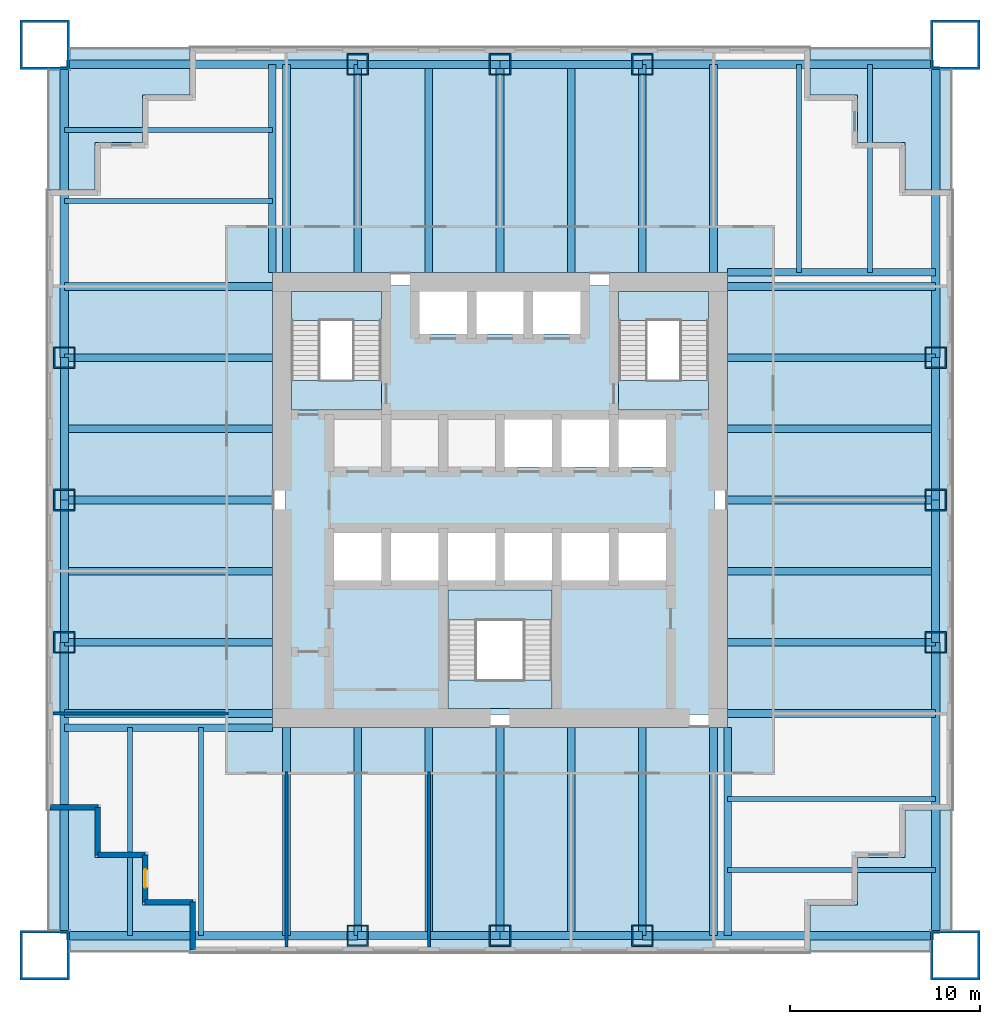
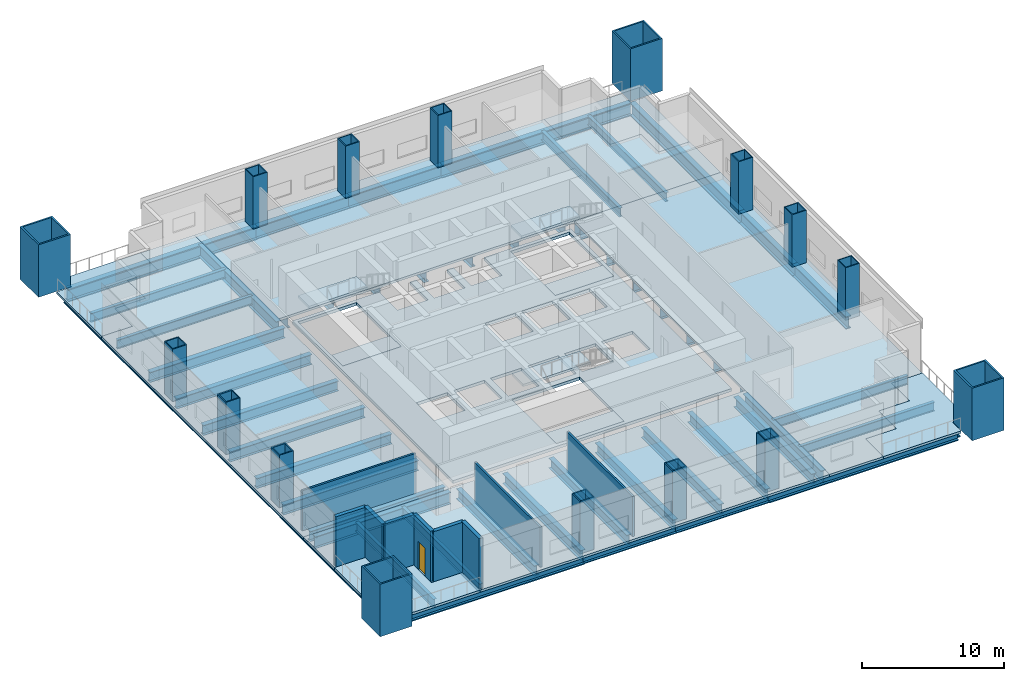
# One storey, part 1 of 6: 56 beams, 16 columns, 15 slabs, 9 walls, 1 door, 1 opening, 3 elements without a shape of their own.
"""IFC4 building model written with IfcOpenShell, lengths in metres."""

from ifc_helpers import new_model, si_unit, direction, frame, frame_2d, origin, origin_2d, place, context, subcontext, project, spatial, polyline, rectangle, hollow_rectangle, i_section, outline, extrude, material, layer, layer_set, material_profile, profile_set, type_object, element, fill, aggregate, save


model = new_model("IFC4")

# Units and contexts
model_context = context("Model", 3, precision=1e-05, world=origin(), true_north=direction((0.0, 1.0)))
body_context = subcontext(model_context, "Body", "Model", "MODEL_VIEW")
ifc_project = project(units=[si_unit("LENGTHUNIT", "METRE"), si_unit("AREAUNIT", "SQUARE_METRE"), si_unit("VOLUMEUNIT", "CUBIC_METRE"), si_unit("PLANEANGLEUNIT", "RADIAN"), si_unit("MASSUNIT", "GRAM", prefix="KILO")], contexts=[model_context])

# Site, building, storey
site_placement = place(None, origin())
site = spatial("IfcSite", under=ifc_project, at=site_placement, CompositionType="ELEMENT")
building_placement = place(site_placement, origin())
building = spatial("IfcBuilding", under=site, at=building_placement, Name="Tarangal Relay Tower", CompositionType="ELEMENT")
storey_placement = place(building_placement, frame((0.0, 0.0, 108.89990234375)))
storey = spatial("IfcBuildingStorey", under=building, at=storey_placement, Name="L21", CompositionType="ELEMENT", Elevation=108.89990234375)

# Columns
ifc_material_1 = material(Name="Steel ASTM A572 Grade 42", Category="steel")
ifc_material_profile_1 = material_profile(ifc_material_1, hollow_rectangle(XDim=2.60009765625, YDim=2.60009765625, WallThickness=0.1298828125, at=origin_2d()), Name="BOX2600X2600X130")
ifc_profile_set_1 = profile_set([ifc_material_profile_1], Name="Steel ASTM A572 Grade 42")
column_type_1 = type_object("IfcColumnType", Name="Mega column BOX2600X2600X130", PredefinedType="COLUMN", material=ifc_profile_set_1)
for number, where, z_axis, x_axis, name in (
    (1, (24.0, 24.0, 0.0), (0.0, 0.0, 1.0), (1.0, 0.0, 0.0), "Mega column MC2 NE L21"),
    (2, (24.0, -24.0, 0.0), (0.0, 0.0, 1.0), (1.0, 0.0, 0.0), "Mega column MC2 SE L21"),
    (3, (-24.0, -24.0, 0.0), (0.0, 0.0, 1.0), (1.0, 0.0, 0.0), "Mega column MC2 SW L21"),
    (4, (-24.0, 24.0, 0.0), (0.0, 0.0, 1.0), (1.0, 0.0, 0.0), "Mega column MC2 NW L21"),
):
    element("IfcColumn", number, at=place(storey_placement, frame(where, z_axis=z_axis, x_axis=x_axis)), inside=storey, type_object=column_type_1, Name=name, PredefinedType="COLUMN", context=body_context, shape_type="SweptSolid", body=[
        extrude(hollow_rectangle(XDim=2.60009765625, YDim=2.60009765625, WallThickness=0.1298828125, at=origin_2d()), origin(), (0.0, 0.0, 1.0), 4.5),
    ])
ifc_material_2 = material(Name="Steel ASTM A572 Grade 50", Category="steel")
ifc_material_profile_2 = material_profile(ifc_material_2, hollow_rectangle(XDim=1.14990234375, YDim=1.14990234375, WallThickness=0.074951171875, at=origin_2d()), Name="BOX1150X1150X75")
ifc_profile_set_2 = profile_set([ifc_material_profile_2], Name="Steel ASTM A572 Grade 50")
column_type_2 = type_object("IfcColumnType", Name="Perimeter column BOX1150X1150X75", PredefinedType="COLUMN", material=ifc_profile_set_2)
for number, where, z_axis, x_axis, name in (
    (5, (-7.5, 22.965087890625, 0.0), (0.0, 0.0, 1.0), (1.0, 0.0, 0.0), "Perimeter column PC3 N L21"),
    (6, (0.0, 22.965087890625, 0.0), (0.0, 0.0, 1.0), (1.0, 0.0, 0.0), "Perimeter column PC3 N L21"),
    (7, (7.5, 22.965087890625, 0.0), (0.0, 0.0, 1.0), (1.0, 0.0, 0.0), "Perimeter column PC3 N L21"),
    (8, (22.965087890625, 7.5, 0.0), (0.0, 0.0, 1.0), (1.0, 0.0, 0.0), "Perimeter column PC3 E L21"),
    (9, (22.965087890625, 0.0, 0.0), (0.0, 0.0, 1.0), (1.0, 0.0, 0.0), "Perimeter column PC3 E L21"),
    (10, (22.965087890625, -7.5, 0.0), (0.0, 0.0, 1.0), (1.0, 0.0, 0.0), "Perimeter column PC3 E L21"),
    (11, (7.5, -22.965087890625, 0.0), (0.0, 0.0, 1.0), (1.0, 0.0, 0.0), "Perimeter column PC3 S L21"),
    (12, (0.0, -22.965087890625, 0.0), (0.0, 0.0, 1.0), (1.0, 0.0, 0.0), "Perimeter column PC3 S L21"),
    (13, (-7.5, -22.965087890625, 0.0), (0.0, 0.0, 1.0), (1.0, 0.0, 0.0), "Perimeter column PC3 S L21"),
    (14, (-22.965087890625, -7.5, 0.0), (0.0, 0.0, 1.0), (1.0, 0.0, 0.0), "Perimeter column PC3 W L21"),
    (15, (-22.965087890625, 0.0, 0.0), (0.0, 0.0, 1.0), (1.0, 0.0, 0.0), "Perimeter column PC3 W L21"),
    (16, (-22.965087890625, 7.5, 0.0), (0.0, 0.0, 1.0), (1.0, 0.0, 0.0), "Perimeter column PC3 W L21"),
):
    element("IfcColumn", number, at=place(storey_placement, frame(where, z_axis=z_axis, x_axis=x_axis)), inside=storey, type_object=column_type_2, Name=name, PredefinedType="COLUMN", context=body_context, shape_type="SweptSolid", body=[
        extrude(hollow_rectangle(XDim=1.14990234375, YDim=1.14990234375, WallThickness=0.074951171875, at=origin_2d()), origin(), (0.0, 0.0, 1.0), 4.5),
    ])

# Beams
ifc_material_3 = material(Name="Steel ASTM A992", Category="steel")
ifc_material_profile_3 = material_profile(ifc_material_3, i_section(OverallWidth=0.2666015625, OverallDepth=0.76953125, WebThickness=0.015625, FlangeThickness=0.025390625, at=origin_2d()), Name="W30X132")
ifc_profile_set_3 = profile_set([ifc_material_profile_3], Name="Steel ASTM A992")
beam_type_1 = type_object("IfcBeamType", Name="Corner beam W30X132", PredefinedType="JOIST", material=ifc_profile_set_3)
for number, where, z_axis, x_axis, name in (
    (17, (15.75, 12.0, -0.584716796875), (0.0, 1.0, 0.0), (-1.0, 0.0, 0.0), "Corner beam CB13 N L21"),
    (18, (19.5, 12.0, -0.584716796875), (0.0, 1.0, 0.0), (-1.0, 0.0, 0.0), "Corner beam CB13 N L21"),
    (19, (12.0, -15.75, -0.584716796875), (1.0, 0.0, 0.0), (0.0, 1.0, 0.0), "Corner beam CB13 E L21"),
    (20, (12.0, -19.5, -0.584716796875), (1.0, 0.0, 0.0), (0.0, 1.0, 0.0), "Corner beam CB13 E L21"),
    (21, (-15.75, -12.0, -0.584716796875), (0.0, -1.0, 0.0), (1.0, 0.0, 0.0), "Corner beam CB13 S L21"),
    (22, (-19.5, -12.0, -0.584716796875), (0.0, -1.0, 0.0), (1.0, 0.0, 0.0), "Corner beam CB13 S L21"),
    (23, (-12.0, 15.75, -0.584716796875), (-1.0, 0.0, 0.0), (0.0, -1.0, 0.0), "Corner beam CB13 W L21"),
    (24, (-12.0, 19.5, -0.584716796875), (-1.0, 0.0, 0.0), (0.0, -1.0, 0.0), "Corner beam CB13 W L21"),
):
    element("IfcBeam", number, at=place(storey_placement, frame(where, z_axis=z_axis, x_axis=x_axis)), inside=storey, type_object=beam_type_1, Name=name, PredefinedType="JOIST", context=body_context, shape_type="SweptSolid", body=[
        extrude(i_section(OverallWidth=0.2666015625, OverallDepth=0.76953125, WebThickness=0.015625, FlangeThickness=0.025390625, at=origin_2d()), origin(), (0.0, 0.0, 1.0), 10.965087890625),
    ])
ifc_material_profile_4 = material_profile(ifc_material_3, i_section(OverallWidth=0.4013671875, OverallDepth=1.01611328125, WebThickness=0.02099609375, FlangeThickness=0.0400390625, at=origin_2d()), Name="W40X277")
ifc_profile_set_4 = profile_set([ifc_material_profile_4], Name="Steel ASTM A992")
beam_type_2 = type_object("IfcBeamType", Name="Corner girder W40X277", PredefinedType="BEAM", material=ifc_profile_set_4)
for number, where, z_axis, x_axis, name in (
    (25, (12.0, 12.0, -0.7080078125), (1.0, 0.0, 0.0), (0.0, 1.0, 0.0), "Corner girder CG3 N L21"),
    (26, (12.0, -12.0, -0.7080078125), (0.0, -1.0, 0.0), (1.0, 0.0, 0.0), "Corner girder CG3 E L21"),
    (27, (-12.0, -12.0, -0.7080078125), (-1.0, 0.0, 0.0), (0.0, -1.0, 0.0), "Corner girder CG3 S L21"),
    (28, (-12.0, 12.0, -0.7080078125), (0.0, 1.0, 0.0), (-1.0, 0.0, 0.0), "Corner girder CG3 W L21"),
):
    element("IfcBeam", number, at=place(storey_placement, frame(where, z_axis=z_axis, x_axis=x_axis)), inside=storey, type_object=beam_type_2, Name=name, PredefinedType="BEAM", context=body_context, shape_type="SweptSolid", body=[
        extrude(i_section(OverallWidth=0.4013671875, OverallDepth=1.01611328125, WebThickness=0.02099609375, FlangeThickness=0.0400390625, at=origin_2d()), origin(), (0.0, 0.0, 1.0), 10.965087890625),
    ])
ifc_material_profile_5 = material_profile(ifc_material_3, i_section(OverallWidth=0.41650390625, OverallDepth=1.0693359375, WebThickness=0.0390625, FlangeThickness=0.070068359375, at=origin_2d()), Name="W40X503")
ifc_profile_set_5 = profile_set([ifc_material_profile_5], Name="Steel ASTM A992")
beam_type_3 = type_object("IfcBeamType", Name="Edge girder W40X503", PredefinedType="SPANDREL", material=ifc_profile_set_5)
for number, where, z_axis, x_axis, name in (
    (29, (-7.5, 22.965087890625, -0.734619140625), (1.0, 0.0, 0.0), (0.0, 1.0, 0.0), "Edge girder EG8 N L21"),
    (30, (0.0, 22.965087890625, -0.734619140625), (1.0, 0.0, 0.0), (0.0, 1.0, 0.0), "Edge girder EG8 N L21"),
    (31, (22.965087890625, 7.5, -0.734619140625), (0.0, -1.0, 0.0), (1.0, 0.0, 0.0), "Edge girder EG8 E L21"),
    (32, (22.965087890625, 0.0, -0.734619140625), (0.0, -1.0, 0.0), (1.0, 0.0, 0.0), "Edge girder EG8 E L21"),
    (33, (7.5, -22.965087890625, -0.734619140625), (-1.0, 0.0, 0.0), (0.0, -1.0, 0.0), "Edge girder EG8 S L21"),
    (34, (0.0, -22.965087890625, -0.734619140625), (-1.0, 0.0, 0.0), (0.0, -1.0, 0.0), "Edge girder EG8 S L21"),
    (35, (-22.965087890625, -7.5, -0.734619140625), (0.0, 1.0, 0.0), (-1.0, 0.0, 0.0), "Edge girder EG8 W L21"),
    (36, (-22.965087890625, 0.0, -0.734619140625), (0.0, 1.0, 0.0), (-1.0, 0.0, 0.0), "Edge girder EG8 W L21"),
):
    element("IfcBeam", number, at=place(storey_placement, frame(where, z_axis=z_axis, x_axis=x_axis)), inside=storey, type_object=beam_type_3, Name=name, PredefinedType="SPANDREL", context=body_context, shape_type="SweptSolid", body=[
        extrude(i_section(OverallWidth=0.41650390625, OverallDepth=1.0693359375, WebThickness=0.0390625, FlangeThickness=0.070068359375, at=origin_2d()), origin(), (0.0, 0.0, 1.0), 7.5),
    ])
ifc_material_profile_6 = material_profile(ifc_material_3, i_section(OverallWidth=0.42919921875, OverallDepth=1.107421875, WebThickness=0.050048828125, FlangeThickness=0.08984375, at=origin_2d()), Name="W40X655")
ifc_profile_set_6 = profile_set([ifc_material_profile_6], Name="Steel ASTM A992")
beam_type_4 = type_object("IfcBeamType", Name="Edge girder W40X655", PredefinedType="SPANDREL", material=ifc_profile_set_6)
for number, where, z_axis, x_axis, name in (
    (37, (-22.85009765625, 22.965087890625, -0.753662109375), (1.0, 0.0, 0.0), (0.0, 1.0, 0.0), "Edge girder EG10 N L21"),
    (38, (7.5, 22.965087890625, -0.753662109375), (1.0, 0.0, 0.0), (0.0, 1.0, 0.0), "Edge girder EG10 N L21"),
    (39, (22.965087890625, 22.85009765625, -0.753662109375), (0.0, -1.0, 0.0), (1.0, 0.0, 0.0), "Edge girder EG10 E L21"),
    (40, (22.965087890625, -7.5, -0.753662109375), (0.0, -1.0, 0.0), (1.0, 0.0, 0.0), "Edge girder EG10 E L21"),
    (41, (22.85009765625, -22.965087890625, -0.753662109375), (-1.0, 0.0, 0.0), (0.0, -1.0, 0.0), "Edge girder EG10 S L21"),
    (42, (-7.5, -22.965087890625, -0.753662109375), (-1.0, 0.0, 0.0), (0.0, -1.0, 0.0), "Edge girder EG10 S L21"),
    (43, (-22.965087890625, -22.85009765625, -0.753662109375), (0.0, 1.0, 0.0), (-1.0, 0.0, 0.0), "Edge girder EG10 W L21"),
    (44, (-22.965087890625, 7.5, -0.753662109375), (0.0, 1.0, 0.0), (-1.0, 0.0, 0.0), "Edge girder EG10 W L21"),
):
    element("IfcBeam", number, at=place(storey_placement, frame(where, z_axis=z_axis, x_axis=x_axis)), inside=storey, type_object=beam_type_4, Name=name, PredefinedType="SPANDREL", context=body_context, shape_type="SweptSolid", body=[
        extrude(i_section(OverallWidth=0.42919921875, OverallDepth=1.107421875, WebThickness=0.050048828125, FlangeThickness=0.08984375, at=origin_2d()), origin(), (0.0, 0.0, 1.0), 15.35009765625),
    ])
ifc_material_profile_7 = material_profile(ifc_material_3, i_section(OverallWidth=0.40380859375, OverallDepth=0.86865234375, WebThickness=0.02099609375, FlangeThickness=0.03564453125, at=origin_2d()), Name="W33X241")
ifc_profile_set_7 = profile_set([ifc_material_profile_7], Name="Steel ASTM A992")
beam_type_5 = type_object("IfcBeamType", Name="Floor beam W33X241", PredefinedType="BEAM", material=ifc_profile_set_7)
for number, where, z_axis, x_axis, name in (
    (45, (-11.25, 12.0, -0.63427734375), (0.0, 1.0, 0.0), (-1.0, 0.0, 0.0), "Floor beam RB11 N L21"),
    (46, (-7.5, 12.0, -0.63427734375), (0.0, 1.0, 0.0), (-1.0, 0.0, 0.0), "Floor beam RB11 N L21"),
    (47, (-3.75, 12.0, -0.63427734375), (0.0, 1.0, 0.0), (-1.0, 0.0, 0.0), "Floor beam RB11 N L21"),
    (48, (0.0, 12.0, -0.63427734375), (0.0, 1.0, 0.0), (-1.0, 0.0, 0.0), "Floor beam RB11 N L21"),
    (49, (3.75, 12.0, -0.63427734375), (0.0, 1.0, 0.0), (-1.0, 0.0, 0.0), "Floor beam RB11 N L21"),
    (50, (7.5, 12.0, -0.63427734375), (0.0, 1.0, 0.0), (-1.0, 0.0, 0.0), "Floor beam RB11 N L21"),
    (51, (11.25, 12.0, -0.63427734375), (0.0, 1.0, 0.0), (-1.0, 0.0, 0.0), "Floor beam RB11 N L21"),
    (52, (12.0, 11.25, -0.63427734375), (1.0, 0.0, 0.0), (0.0, 1.0, 0.0), "Floor beam RB11 E L21"),
    (53, (12.0, 7.5, -0.63427734375), (1.0, 0.0, 0.0), (0.0, 1.0, 0.0), "Floor beam RB11 E L21"),
    (54, (12.0, 3.75, -0.63427734375), (1.0, 0.0, 0.0), (0.0, 1.0, 0.0), "Floor beam RB11 E L21"),
    (55, (12.0, 0.0, -0.63427734375), (1.0, 0.0, 0.0), (0.0, 1.0, 0.0), "Floor beam RB11 E L21"),
    (56, (12.0, -3.75, -0.63427734375), (1.0, 0.0, 0.0), (0.0, 1.0, 0.0), "Floor beam RB11 E L21"),
    (57, (12.0, -7.5, -0.63427734375), (1.0, 0.0, 0.0), (0.0, 1.0, 0.0), "Floor beam RB11 E L21"),
    (58, (12.0, -11.25, -0.63427734375), (1.0, 0.0, 0.0), (0.0, 1.0, 0.0), "Floor beam RB11 E L21"),
    (59, (11.25, -12.0, -0.63427734375), (0.0, -1.0, 0.0), (1.0, 0.0, 0.0), "Floor beam RB11 S L21"),
    (60, (7.5, -12.0, -0.63427734375), (0.0, -1.0, 0.0), (1.0, 0.0, 0.0), "Floor beam RB11 S L21"),
    (61, (3.75, -12.0, -0.63427734375), (0.0, -1.0, 0.0), (1.0, 0.0, 0.0), "Floor beam RB11 S L21"),
    (62, (0.0, -12.0, -0.63427734375), (0.0, -1.0, 0.0), (1.0, 0.0, 0.0), "Floor beam RB11 S L21"),
    (63, (-3.75, -12.0, -0.63427734375), (0.0, -1.0, 0.0), (1.0, 0.0, 0.0), "Floor beam RB11 S L21"),
    (64, (-7.5, -12.0, -0.63427734375), (0.0, -1.0, 0.0), (1.0, 0.0, 0.0), "Floor beam RB11 S L21"),
    (65, (-11.25, -12.0, -0.63427734375), (0.0, -1.0, 0.0), (1.0, 0.0, 0.0), "Floor beam RB11 S L21"),
    (66, (-12.0, -11.25, -0.63427734375), (-1.0, 0.0, 0.0), (0.0, -1.0, 0.0), "Floor beam RB11 W L21"),
    (67, (-12.0, -7.5, -0.63427734375), (-1.0, 0.0, 0.0), (0.0, -1.0, 0.0), "Floor beam RB11 W L21"),
    (68, (-12.0, -3.75, -0.63427734375), (-1.0, 0.0, 0.0), (0.0, -1.0, 0.0), "Floor beam RB11 W L21"),
    (69, (-12.0, 0.0, -0.63427734375), (-1.0, 0.0, 0.0), (0.0, -1.0, 0.0), "Floor beam RB11 W L21"),
    (70, (-12.0, 3.75, -0.63427734375), (-1.0, 0.0, 0.0), (0.0, -1.0, 0.0), "Floor beam RB11 W L21"),
    (71, (-12.0, 7.5, -0.63427734375), (-1.0, 0.0, 0.0), (0.0, -1.0, 0.0), "Floor beam RB11 W L21"),
    (72, (-12.0, 11.25, -0.63427734375), (-1.0, 0.0, 0.0), (0.0, -1.0, 0.0), "Floor beam RB11 W L21"),
):
    element("IfcBeam", number, at=place(storey_placement, frame(where, z_axis=z_axis, x_axis=x_axis)), inside=storey, type_object=beam_type_5, Name=name, PredefinedType="BEAM", context=body_context, shape_type="SweptSolid", body=[
        extrude(i_section(OverallWidth=0.40380859375, OverallDepth=0.86865234375, WebThickness=0.02099609375, FlangeThickness=0.03564453125, at=origin_2d()), origin(), (0.0, 0.0, 1.0), 10.965087890625),
    ])

# Slabs
ifc_material_4 = material(Name="Concrete fc' 35 MPa", Category="concrete")
ifc_layer_1 = layer(ifc_material_4, 0.25)
ifc_layer_set_1 = layer_set([ifc_layer_1], Name="Core floor slab 250")
slab_type_1 = type_object("IfcSlabType", Name="Core floor slab 250", PredefinedType="FLOOR", material=ifc_layer_set_1)
slab_1_placement = place(storey_placement, frame((0.0, 0.0, -0.25)))
element("IfcSlab", 73, at=slab_1_placement, inside=storey, type_object=slab_type_1, Name="Core floor slab L21", PredefinedType="FLOOR", context=body_context, shape_type="SweptSolid", body=[
    extrude(outline(polyline([(11.300048828125, 11.300048828125), (11.300048828125, -11.300048828125), (-11.300048828125, -11.300048828125), (-11.300048828125, 11.300048828125), (-4.25, 11.300048828125), (-4.25, 8.75), (-1.75, 8.75), (-1.75, 11.300048828125), (-1.25, 11.300048828125), (-1.25, 8.75), (1.25, 8.75), (1.25, 11.300048828125), (1.75, 11.300048828125), (1.75, 8.75), (4.25, 8.75), (4.25, 11.300048828125), (11.300048828125, 11.300048828125)]), holes=[polyline([(2.75, -4.75), (-2.75, -4.75), (-2.75, -11.0), (2.75, -11.0), (2.75, -4.75)]), polyline([(-6.25, -4.25), (-6.25, -1.75), (-8.75, -1.75), (-8.75, -4.25), (-6.25, -4.25)]), polyline([(-3.25, -4.25), (-3.25, -1.75), (-5.75, -1.75), (-5.75, -4.25), (-3.25, -4.25)]), polyline([(-0.25, -4.25), (-0.25, -1.75), (-2.75, -1.75), (-2.75, -4.25), (-0.25, -4.25)]), polyline([(2.75, 1.75), (2.75, 4.25), (0.25, 4.25), (0.25, 1.75), (2.75, 1.75)]), polyline([(-6.25, 4.75), (-6.25, 11.0), (-11.0, 11.0), (-11.0, 4.75), (-6.25, 4.75)]), polyline([(2.75, -4.25), (2.75, -1.75), (0.25, -1.75), (0.25, -4.25), (2.75, -4.25)]), polyline([(5.75, -4.25), (5.75, -1.75), (3.25, -1.75), (3.25, -4.25), (5.75, -4.25)]), polyline([(8.75, -4.25), (8.75, -1.75), (6.25, -1.75), (6.25, -4.25), (8.75, -4.25)]), polyline([(5.75, 1.75), (5.75, 4.25), (3.25, 4.25), (3.25, 1.75), (5.75, 1.75)]), polyline([(8.75, 1.75), (8.75, 4.25), (6.25, 4.25), (6.25, 1.75), (8.75, 1.75)]), polyline([(11.0, 4.75), (11.0, 11.0), (6.25, 11.0), (6.25, 4.75), (11.0, 4.75)])]), origin(), (0.0, 0.0, 1.0), 0.25),
])
ifc_layer_2 = layer(ifc_material_4, 0.199951171875)
ifc_layer_set_2 = layer_set([ifc_layer_2], Name="Floor slab 200")
slab_type_2 = type_object("IfcSlabType", Name="Floor slab 200", PredefinedType="FLOOR", material=ifc_layer_set_2)
slab_2_placement = place(storey_placement, frame((0.0, 0.0, -0.199951171875)))
element("IfcSlab", 74, at=slab_2_placement, inside=storey, type_object=slab_type_2, Name="Floor slab FS2 L21 north bay", PredefinedType="FLOOR", context=body_context, shape_type="SweptSolid", body=[
    extrude(outline(polyline([(16.35009765625, 23.85009765625), (16.35009765625, 21.35009765625), (18.85009765625, 21.35009765625), (18.85009765625, 18.85009765625), (21.35009765625, 18.85009765625), (21.35009765625, 16.35009765625), (23.85009765625, 16.35009765625), (23.85009765625, 12.0), (-12.0, 12.0), (-12.0, 23.85009765625), (16.35009765625, 23.85009765625)])), origin(), (0.0, 0.0, 1.0), 0.199951171875),
])
slab_3_placement = place(storey_placement, frame((0.0, 0.0, -0.199951171875)))
element("IfcSlab", 75, at=slab_3_placement, inside=storey, type_object=slab_type_2, Name="Floor slab FS2 L21 east bay", PredefinedType="FLOOR", context=body_context, shape_type="SweptSolid", body=[
    extrude(outline(polyline([(23.85009765625, -16.35009765625), (21.35009765625, -16.35009765625), (21.35009765625, -18.85009765625), (18.85009765625, -18.85009765625), (18.85009765625, -21.35009765625), (16.35009765625, -21.35009765625), (16.35009765625, -23.85009765625), (12.0, -23.85009765625), (12.0, 12.0), (23.85009765625, 12.0), (23.85009765625, -16.35009765625)])), origin(), (0.0, 0.0, 1.0), 0.199951171875),
])
slab_4_placement = place(storey_placement, frame((0.0, 0.0, -0.199951171875)))
element("IfcSlab", 76, at=slab_4_placement, inside=storey, type_object=slab_type_2, Name="Floor slab FS2 L21 south bay", PredefinedType="FLOOR", context=body_context, shape_type="SweptSolid", body=[
    extrude(outline(polyline([(-16.35009765625, -23.85009765625), (-16.35009765625, -21.35009765625), (-18.85009765625, -21.35009765625), (-18.85009765625, -18.85009765625), (-21.35009765625, -18.85009765625), (-21.35009765625, -16.35009765625), (-23.85009765625, -16.35009765625), (-23.85009765625, -12.0), (12.0, -12.0), (12.0, -23.85009765625), (-16.35009765625, -23.85009765625)])), origin(), (0.0, 0.0, 1.0), 0.199951171875),
])
slab_5_placement = place(storey_placement, frame((0.0, 0.0, -0.199951171875)))
element("IfcSlab", 77, at=slab_5_placement, inside=storey, type_object=slab_type_2, Name="Floor slab FS2 L21 west bay", PredefinedType="FLOOR", context=body_context, shape_type="SweptSolid", body=[
    extrude(outline(polyline([(-12.0, 23.85009765625), (-12.0, -12.0), (-23.85009765625, -12.0), (-23.85009765625, 16.35009765625), (-21.35009765625, 16.35009765625), (-21.35009765625, 18.85009765625), (-18.85009765625, 18.85009765625), (-18.85009765625, 21.35009765625), (-16.35009765625, 21.35009765625), (-16.35009765625, 23.85009765625), (-12.0, 23.85009765625)])), origin(), (0.0, 0.0, 1.0), 0.199951171875),
])

# Stair, slabs
ifc_material_5 = material(Name="Steel ASTM A992 stair flight", Category="steel")
stair_type = type_object("IfcStairType", Name="Core stair 1500", PredefinedType="HALF_TURN_STAIR", material=ifc_material_5)
stair_1_placement = place(storey_placement, origin())
stair_1 = element("IfcStair", 78, at=stair_1_placement, inside=storey, type_object=stair_type, Name="Stair ST-A L21", PredefinedType="HALF_TURN_STAIR")
ifc_layer_3 = layer(ifc_material_4, 0.199951171875)
ifc_layer_set_3 = layer_set([ifc_layer_3], Name="Stair landing 200")
slab_type_3 = type_object("IfcSlabType", Name="Stair landing 200", PredefinedType="LANDING", material=ifc_layer_set_3)
slab_6_placement = place(storey_placement, frame((0.0, 0.0, -0.199951171875)))
slab_6 = element("IfcSlab", 79, at=slab_6_placement, type_object=slab_type_3, Name="ST-A landing 1", PredefinedType="LANDING", context=body_context, shape_type="SweptSolid", body=[
    extrude(outline(polyline([(-11.0, 4.75), (-6.25, 4.75), (-6.25, 6.300048828125), (-11.0, 6.300048828125), (-11.0, 4.75)])), origin(), (0.0, 0.0, 1.0), 0.199951171875),
])
slab_7_placement = place(storey_placement, frame((0.0, 0.0, 2.050048828125)))
slab_7 = element("IfcSlab", 80, at=slab_7_placement, type_object=slab_type_3, Name="ST-A landing 2", PredefinedType="LANDING", context=body_context, shape_type="SweptSolid", body=[
    extrude(outline(polyline([(-11.0, 9.468017578125), (-6.25, 9.468017578125), (-6.25, 11.0), (-11.0, 11.0), (-11.0, 9.468017578125)])), origin(), (0.0, 0.0, 1.0), 0.199951171875),
])
aggregate(stair_1, [slab_6, slab_7])

stair_2_placement = place(storey_placement, origin())
stair_2 = element("IfcStair", 81, at=stair_2_placement, inside=storey, type_object=stair_type, Name="Stair ST-B L21", PredefinedType="HALF_TURN_STAIR")
slab_8_placement = place(storey_placement, frame((0.0, 0.0, -0.199951171875)))
slab_8 = element("IfcSlab", 82, at=slab_8_placement, type_object=slab_type_3, Name="ST-B landing 1", PredefinedType="LANDING", context=body_context, shape_type="SweptSolid", body=[
    extrude(outline(polyline([(6.25, 4.75), (11.0, 4.75), (11.0, 6.300048828125), (6.25, 6.300048828125), (6.25, 4.75)])), origin(), (0.0, 0.0, 1.0), 0.199951171875),
])
slab_9_placement = place(storey_placement, frame((0.0, 0.0, 2.050048828125)))
slab_9 = element("IfcSlab", 83, at=slab_9_placement, type_object=slab_type_3, Name="ST-B landing 2", PredefinedType="LANDING", context=body_context, shape_type="SweptSolid", body=[
    extrude(outline(polyline([(6.25, 9.468017578125), (11.0, 9.468017578125), (11.0, 11.0), (6.25, 11.0), (6.25, 9.468017578125)])), origin(), (0.0, 0.0, 1.0), 0.199951171875),
])
aggregate(stair_2, [slab_8, slab_9])

stair_3_placement = place(storey_placement, origin())
stair_3 = element("IfcStair", 84, at=stair_3_placement, inside=storey, type_object=stair_type, Name="Stair ST-C L21", PredefinedType="HALF_TURN_STAIR")
slab_10_placement = place(storey_placement, frame((0.0, 0.0, -0.199951171875)))
slab_10 = element("IfcSlab", 85, at=slab_10_placement, type_object=slab_type_3, Name="ST-C landing 1", PredefinedType="LANDING", context=body_context, shape_type="SweptSolid", body=[
    extrude(outline(polyline([(-2.75, -11.0), (2.75, -11.0), (2.75, -9.5), (-2.75, -9.5), (-2.75, -11.0)])), origin(), (0.0, 0.0, 1.0), 0.199951171875),
])
slab_11_placement = place(storey_placement, frame((0.0, 0.0, 2.050048828125)))
slab_11 = element("IfcSlab", 86, at=slab_11_placement, type_object=slab_type_3, Name="ST-C landing 2", PredefinedType="LANDING", context=body_context, shape_type="SweptSolid", body=[
    extrude(outline(polyline([(-2.75, -6.33203125), (2.75, -6.33203125), (2.75, -4.75), (-2.75, -4.75), (-2.75, -6.33203125)])), origin(), (0.0, 0.0, 1.0), 0.199951171875),
])
aggregate(stair_3, [slab_10, slab_11])

# Slabs
ifc_layer_4 = layer(ifc_material_4, 0.199951171875)
ifc_layer_set_4 = layer_set([ifc_layer_4], Name="Terrace slab 200")
slab_type_4 = type_object("IfcSlabType", Name="Terrace slab 200", PredefinedType="FLOOR", material=ifc_layer_set_4)
slab_12_placement = place(storey_placement, frame((0.0, 0.0, -0.199951171875)))
element("IfcSlab", 87, at=slab_12_placement, inside=storey, type_object=slab_type_4, Name="Corner terrace NE L21", PredefinedType="FLOOR", context=body_context, shape_type="SweptSolid", body=[
    extrude(outline(polyline([(16.35009765625, 23.85009765625), (16.35009765625, 21.35009765625), (18.85009765625, 21.35009765625), (18.85009765625, 18.85009765625), (21.35009765625, 18.85009765625), (21.35009765625, 16.35009765625), (23.85009765625, 16.35009765625), (23.85009765625, 22.64990234375), (22.64990234375, 22.64990234375), (22.64990234375, 23.85009765625), (16.35009765625, 23.85009765625)])), origin(), (0.0, 0.0, 1.0), 0.199951171875),
])
slab_13_placement = place(storey_placement, frame((0.0, 0.0, -0.199951171875)))
element("IfcSlab", 88, at=slab_13_placement, inside=storey, type_object=slab_type_4, Name="Corner terrace SE L21", PredefinedType="FLOOR", context=body_context, shape_type="SweptSolid", body=[
    extrude(outline(polyline([(23.85009765625, -16.35009765625), (21.35009765625, -16.35009765625), (21.35009765625, -18.85009765625), (18.85009765625, -18.85009765625), (18.85009765625, -21.35009765625), (16.35009765625, -21.35009765625), (16.35009765625, -23.85009765625), (22.64990234375, -23.85009765625), (22.64990234375, -22.64990234375), (23.85009765625, -22.64990234375), (23.85009765625, -16.35009765625)])), origin(), (0.0, 0.0, 1.0), 0.199951171875),
])
slab_14_placement = place(storey_placement, frame((0.0, 0.0, -0.199951171875)))
element("IfcSlab", 89, at=slab_14_placement, inside=storey, type_object=slab_type_4, Name="Corner terrace SW L21", PredefinedType="FLOOR", context=body_context, shape_type="SweptSolid", body=[
    extrude(outline(polyline([(-16.35009765625, -23.85009765625), (-16.35009765625, -21.35009765625), (-18.85009765625, -21.35009765625), (-18.85009765625, -18.85009765625), (-21.35009765625, -18.85009765625), (-21.35009765625, -16.35009765625), (-23.85009765625, -16.35009765625), (-23.85009765625, -22.64990234375), (-22.64990234375, -22.64990234375), (-22.64990234375, -23.85009765625), (-16.35009765625, -23.85009765625)])), origin(), (0.0, 0.0, 1.0), 0.199951171875),
])
slab_15_placement = place(storey_placement, frame((0.0, 0.0, -0.199951171875)))
element("IfcSlab", 90, at=slab_15_placement, inside=storey, type_object=slab_type_4, Name="Corner terrace NW L21", PredefinedType="FLOOR", context=body_context, shape_type="SweptSolid", body=[
    extrude(outline(polyline([(-23.85009765625, 16.35009765625), (-21.35009765625, 16.35009765625), (-21.35009765625, 18.85009765625), (-18.85009765625, 18.85009765625), (-18.85009765625, 21.35009765625), (-16.35009765625, 21.35009765625), (-16.35009765625, 23.85009765625), (-22.64990234375, 23.85009765625), (-22.64990234375, 22.64990234375), (-23.85009765625, 22.64990234375), (-23.85009765625, 16.35009765625)])), origin(), (0.0, 0.0, 1.0), 0.199951171875),
])

# Walls
ifc_material_6 = material(Name="Insulated precast concrete fc' 40 MPa", Category="concrete")
ifc_layer_5 = layer(ifc_material_6, 0.300048828125)
ifc_layer_set_5 = layer_set([ifc_layer_5], Name="Insulated precast concrete fc' 40 MPa")
wall_type_1 = type_object("IfcWallType", Name="Facade wall precast 300", PredefinedType="SOLIDWALL", material=ifc_layer_set_5)
for number, where, z_axis, x_axis, name in (
    (91, (-16.199951171875, -23.699951171875, 0.0), (0.0, 0.0, 1.0), (0.0, 1.0, 0.0), "Facade wall S facade L21"),
    (92, (-16.199951171875, -21.199951171875, 0.0), (0.0, 0.0, 1.0), (-1.0, 0.0, 0.0), "Facade wall S facade L21"),
):
    element("IfcWall", number, at=place(storey_placement, frame(where, z_axis=z_axis, x_axis=x_axis)), inside=storey, type_object=wall_type_1, Name=name, PredefinedType="SOLIDWALL", context=body_context, shape_type="SweptSolid", body=[
        extrude(rectangle(XDim=2.5, YDim=0.300048828125, at=frame_2d((1.25, 0.0))), origin(), (0.0, 0.0, 1.0), 4.300048828125),
    ])

# Wall, opening, door
wall_placement = place(storey_placement, frame((-18.699951171875, -21.199951171875, 0.0), z_axis=(0.0, 0.0, 1.0), x_axis=(0.0, 1.0, 0.0)))
wall = element("IfcWall", 93, at=wall_placement, inside=storey, type_object=wall_type_1, Name="Facade wall S facade L21", PredefinedType="SOLIDWALL", context=body_context, shape_type="SweptSolid", body=[
    extrude(rectangle(XDim=2.5, YDim=0.300048828125, at=frame_2d((1.25, 0.0))), origin(), (0.0, 0.0, 1.0), 4.300048828125),
])
opening_placement = place(wall_placement, frame((0.75, 0.0, 0.0)))
opening = element("IfcOpeningElement", 94, at=opening_placement, cuts=wall, Name="Opening TD1", PredefinedType="OPENING", context=body_context, shape_type="SweptSolid", body=[
    extrude(rectangle(XDim=1.0, YDim=2.39990234375, at=frame_2d((0.5, 1.199951171875))), frame((0.0, 0.159912109375, 0.0), z_axis=(0.0, -1.0, 0.0), x_axis=(1.0, 0.0, 0.0)), (0.0, 0.0, 1.0), 0.320068359375),
])
ifc_material_7 = material(Name="Aluminium glazed door", Category="aluminium")
door_type = type_object("IfcDoorType", Name="Terrace door 1000 x 2400", OperationType="SINGLE_SWING_RIGHT", PredefinedType="DOOR", material=ifc_material_7)
door_placement = place(opening_placement, origin())
door = element("IfcDoor", 95, at=door_placement, inside=storey, type_object=door_type, Name="Terrace door TD1 SW L21", OperationType="SINGLE_SWING_RIGHT", OverallHeight=2.39990234375, OverallWidth=1.0, PredefinedType="DOOR", context=body_context, shape_type="SweptSolid", body=[
    extrude(rectangle(XDim=1.0, YDim=2.39990234375, at=frame_2d((0.5, 1.199951171875))), frame((0.0, 0.02490234375, 0.0), z_axis=(0.0, -1.0, 0.0), x_axis=(1.0, 0.0, 0.0)), (0.0, 0.0, 1.0), 0.050048828125),
])
fill(opening, door)

# Walls
for number, where, z_axis, x_axis, name in (
    (96, (-18.699951171875, -18.699951171875, 0.0), (0.0, 0.0, 1.0), (-1.0, 0.0, 0.0), "Facade wall S facade L21"),
    (97, (-21.199951171875, -18.699951171875, 0.0), (0.0, 0.0, 1.0), (0.0, 1.0, 0.0), "Facade wall S facade L21"),
    (98, (-21.199951171875, -16.199951171875, 0.0), (0.0, 0.0, 1.0), (-1.0, 0.0, 0.0), "Facade wall S facade L21"),
):
    element("IfcWall", number, at=place(storey_placement, frame(where, z_axis=z_axis, x_axis=x_axis)), inside=storey, type_object=wall_type_1, Name=name, PredefinedType="SOLIDWALL", context=body_context, shape_type="SweptSolid", body=[
        extrude(rectangle(XDim=2.5, YDim=0.300048828125, at=frame_2d((1.25, 0.0))), origin(), (0.0, 0.0, 1.0), 4.300048828125),
    ])
ifc_material_8 = material(Name="Gypsum board on steel studs", Category="steel")
ifc_layer_6 = layer(ifc_material_8, 0.14990234375)
ifc_layer_set_6 = layer_set([ifc_layer_6], Name="Partition 150")
wall_type_2 = type_object("IfcWallType", Name="Partition 150", PredefinedType="PARTITIONING", material=ifc_layer_set_6)
for number, where, z_axis, x_axis, name in (
    (99, (-23.550048828125, -11.25, 0.0), (0.0, 0.0, 1.0), (1.0, 0.0, 0.0), "Partition PT1 L21"),
    (100, (-11.25, -23.550048828125, 0.0), (0.0, 0.0, 1.0), (0.0, 1.0, 0.0), "Partition PT1 L21"),
    (101, (-3.75, -23.550048828125, 0.0), (0.0, 0.0, 1.0), (0.0, 1.0, 0.0), "Partition PT1 L21"),
):
    element("IfcWall", number, at=place(storey_placement, frame(where, z_axis=z_axis, x_axis=x_axis)), inside=storey, type_object=wall_type_2, Name=name, PredefinedType="PARTITIONING", context=body_context, shape_type="SweptSolid", body=[
        extrude(rectangle(XDim=9.22509765625, YDim=0.14990234375, at=frame_2d((4.612548828125, 0.0))), origin(), (0.0, 0.0, 1.0), 3.431396484375),
    ])

save(model, "model.ifc")
